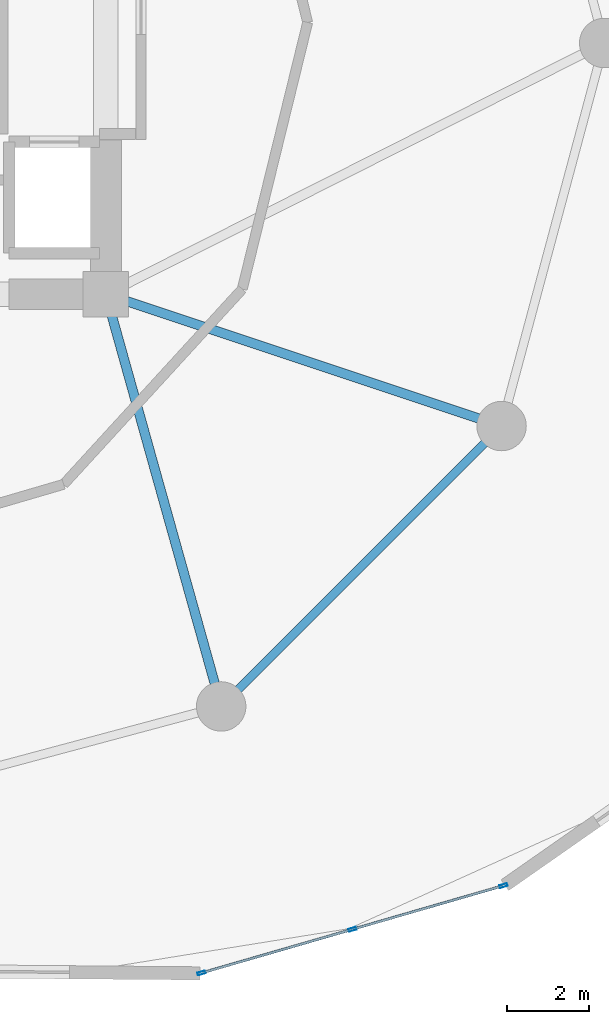
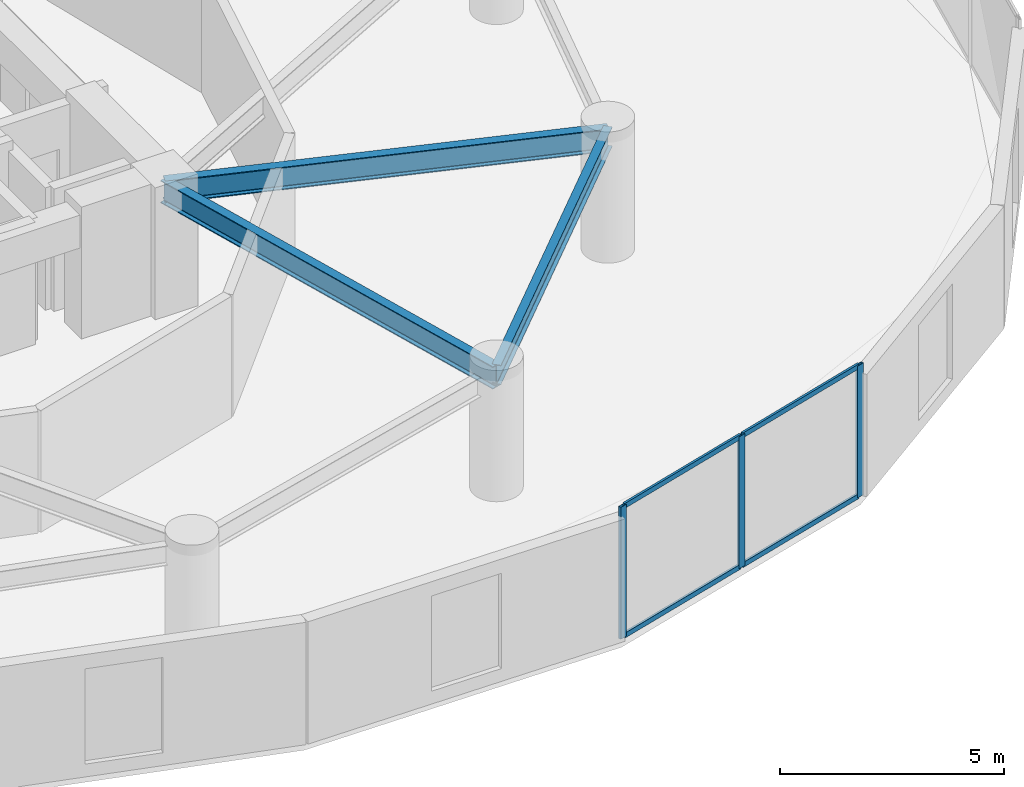
# One storey, part 9 of 24: 7 members, 3 beams, 1 element without a shape of its own.
"""IFC4 building model written with IfcOpenShell, lengths in metres."""

import ifcopenshell
import ifcopenshell.guid

model = None  # the IFC model being written
_history = None  # IfcOwnerHistory: only IFC2X3 demands one
_inside = {}  # id of a spatial element -> (the spatial element, [elements in it])
_under = {}  # id of a project, library or spatial element -> (it, [spatial elements below it])
_declared = {}  # id of a project -> (the project, [libraries it declares])
_typed = {}  # id of a type object -> (the type object, [elements of that type])
_made_of = {}  # id of a material, layer set ... -> (it, [elements and type objects made of it])


def new_model(schema):
    """Start an empty IFC model of exactly this schema.

    Asked for "IFC4X3", IfcOpenShell would pick the latest addendum, in which some entities
    have other attributes; the version numbers below select the first issue.
    IFC2X3 requires an IfcOwnerHistory on every rooted entity: one is made here for all.
    """
    global model, _history
    if schema == "IFC4X3":
        model = ifcopenshell.file(schema_version=(4, 3, 0, 0))
    else:
        model = ifcopenshell.file(schema=schema)
    _inside.clear()
    _under.clear()
    _declared.clear()
    _typed.clear()
    _made_of.clear()
    _history = None
    if model.schema == "IFC2X3":
        org = make("IfcOrganization", Name="unknown")
        user = make(
            "IfcPersonAndOrganization",
            ThePerson=make("IfcPerson", FamilyName="unknown"),
            TheOrganization=org,
        )
        app = make(
            "IfcApplication",
            ApplicationDeveloper=org,
            Version="unknown",
            ApplicationFullName="unknown",
            ApplicationIdentifier="unknown",
        )
        _history = make(
            "IfcOwnerHistory",
            OwningUser=user,
            OwningApplication=app,
            ChangeAction="ADDED",
            CreationDate=0,
        )
    return model


def make(cls, **values):
    """One entity of the class cls with the attributes given. An attribute that is None is left unset."""
    return model.create_entity(
        cls, **{name: value for name, value in values.items() if value is not None}
    )


def rooted(cls, **values):
    """An entity with a GlobalId (a new one), such as an element, a storey or a relation."""
    return make(cls, GlobalId=ifcopenshell.guid.new(), OwnerHistory=_history, **values)


def si_unit(unit_type, name, prefix=None):
    """IfcSIUnit, for example si_unit("LENGTHUNIT", "METRE", prefix="MILLI")."""
    return make("IfcSIUnit", UnitType=unit_type, Prefix=prefix, Name=name)


def assignment(units):
    """IfcUnitAssignment: the units of a project."""
    return None if units is None else make("IfcUnitAssignment", Units=units)


def point(xyz):
    """IfcCartesianPoint."""
    return None if xyz is None else make("IfcCartesianPoint", Coordinates=xyz)


def direction(xyz):
    """IfcDirection."""
    return None if xyz is None else make("IfcDirection", DirectionRatios=xyz)


def frame(location, z_axis=None, x_axis=None):
    """IfcAxis2Placement3D, a coordinate frame: its origin and axes. An axis left out is left unset."""
    return make(
        "IfcAxis2Placement3D",
        Location=point(location),
        Axis=direction(z_axis),
        RefDirection=direction(x_axis),
    )


def frame_2d(location, x_axis=None):
    """IfcAxis2Placement2D, a coordinate frame in the plane: its origin and x axis."""
    return make(
        "IfcAxis2Placement2D", Location=point(location), RefDirection=direction(x_axis)
    )


def origin():
    """The frame at (0, 0, 0) with its axes left unset."""
    return frame((0.0, 0.0, 0.0))


def origin_2d():
    """The frame at (0, 0) in the plane with its x axis left unset."""
    return frame_2d((0.0, 0.0))


def place(relative_to, where):
    """IfcLocalPlacement: puts the frame where relative to a parent placement (None: the world)."""
    return make(
        "IfcLocalPlacement", PlacementRelTo=relative_to, RelativePlacement=where
    )


def context(
    kind, dimensions, precision=None, world=None, true_north=None, identifier=None
):
    """IfcGeometricRepresentationContext, for example the 3D "Model" context."""
    return make(
        "IfcGeometricRepresentationContext",
        ContextIdentifier=identifier,
        ContextType=kind,
        CoordinateSpaceDimension=dimensions,
        Precision=precision,
        WorldCoordinateSystem=world,
        TrueNorth=true_north,
    )


def subcontext(parent, identifier, kind, view, scale=None):
    """IfcGeometricRepresentationSubContext, for example "Body" below "Model"."""
    return make(
        "IfcGeometricRepresentationSubContext",
        ContextIdentifier=identifier,
        ContextType=kind,
        ParentContext=parent,
        TargetScale=scale,
        TargetView=view,
    )


def project(units=None, contexts=None):
    """IfcProject with its units and contexts."""
    return rooted(
        "IfcProject",
        Name="project",
        RepresentationContexts=contexts,
        UnitsInContext=assignment(units),
    )


def spatial(cls, under=None, at=None, **own):
    """A site, building, storey or space (cls), placed at a placement, below another one or the project."""
    s = rooted(cls, ObjectPlacement=at, **own)
    if under is not None:
        _under.setdefault(under.id(), (under, []))[1].append(s)
    return s


def profile(cls, at=None, kind="AREA", **sizes):
    """A parametric profile (cls). Its sizes go by their IFC names, for example OverallWidth=200.0."""
    return make(cls, ProfileType=kind, Position=at, **sizes)


def hollow_rectangle(**sizes):
    """IfcRectangleHollowProfileDef."""
    return profile("IfcRectangleHollowProfileDef", **sizes)


def i_section(**sizes):
    """IfcIShapeProfileDef."""
    return profile("IfcIShapeProfileDef", **sizes)


def extrude(swept, where, along, depth):
    """IfcExtrudedAreaSolid: the profile swept, set in the frame where, extruded along a direction by depth."""
    return make(
        "IfcExtrudedAreaSolid",
        SweptArea=swept,
        Position=where,
        ExtrudedDirection=direction(along),
        Depth=depth,
    )


def shape(context_of_items, identifier, shape_type, items):
    """IfcShapeRepresentation: the items that make up one representation, for example the "Body"."""
    return make(
        "IfcShapeRepresentation",
        ContextOfItems=context_of_items,
        RepresentationIdentifier=identifier,
        RepresentationType=shape_type,
        Items=items,
    )


def source(mapping_origin, context_of_items, identifier, shape_type, items):
    """IfcRepresentationMap: a shape defined once, which mapped items show again and again."""
    return make(
        "IfcRepresentationMap",
        MappingOrigin=mapping_origin,
        MappedRepresentation=shape(context_of_items, identifier, shape_type, items),
    )


def transform(
    local_origin,
    x_axis=None,
    y_axis=None,
    z_axis=None,
    scale=None,
    scale2=None,
    scale3=None,
    uniform=True,
):
    """IfcCartesianTransformationOperator3D, or its non-uniform kind. x_axis, y_axis, z_axis: its Axis1, 2, 3."""
    if uniform:
        return make(
            "IfcCartesianTransformationOperator3D",
            Axis1=direction(x_axis),
            Axis2=direction(y_axis),
            LocalOrigin=point(local_origin),
            Scale=scale,
            Axis3=direction(z_axis),
        )
    return make(
        "IfcCartesianTransformationOperator3DnonUniform",
        Axis1=direction(x_axis),
        Axis2=direction(y_axis),
        LocalOrigin=point(local_origin),
        Scale=scale,
        Axis3=direction(z_axis),
        Scale2=scale2,
        Scale3=scale3,
    )


def mapped(mapping_source, mapping_target):
    """IfcMappedItem: shows the shape of a source again, moved by a transform."""
    return make(
        "IfcMappedItem", MappingSource=mapping_source, MappingTarget=mapping_target
    )


def material(Name=None, Category=None):
    """IfcMaterial."""
    return make("IfcMaterial", Name=Name, Category=Category)


def layer(
    of_material, thickness, ventilated=None, Name=None, Category=None, Priority=None
):
    """IfcMaterialLayer: one layer of a wall or slab, of a material (None: an air gap)."""
    return make(
        "IfcMaterialLayer",
        Material=of_material,
        LayerThickness=thickness,
        IsVentilated=ventilated,
        Name=Name,
        Category=Category,
        Priority=Priority,
    )


def layer_set(layers, Name=None):
    """IfcMaterialLayerSet."""
    return make("IfcMaterialLayerSet", MaterialLayers=layers, LayerSetName=Name)


def material_profile(
    of_material, cross_section, Name=None, Category=None, Priority=None
):
    """IfcMaterialProfile: a cross section and its material."""
    return make(
        "IfcMaterialProfile",
        Name=Name,
        Material=of_material,
        Profile=cross_section,
        Priority=Priority,
        Category=Category,
    )


def profile_set(profiles, Name=None, composite=None):
    """IfcMaterialProfileSet."""
    return make(
        "IfcMaterialProfileSet",
        Name=Name,
        MaterialProfiles=profiles,
        CompositeProfile=composite,
    )


def made_of(thing, what):
    """Note that an element or type object is made of a material, layer set ...; save() writes the relation."""
    if what is not None:
        _made_of.setdefault(what.id(), (what, []))[1].append(thing)
    return thing


def type_object(cls, material=None, **own):
    """A type object (cls), such as IfcWallType, which elements share."""
    return made_of(rooted(cls, **own), material)


def element(
    cls,
    number,
    at=None,
    inside=None,
    cuts=None,
    type_object=None,
    material=None,
    context=None,
    identifier="Body",
    shape_type=None,
    held_by="IfcProductDefinitionShape",
    body=None,
    shapes=None,
    **own,
):
    """One element of the class cls, such as IfcWall. Its Tag is "e" and its number.

    at: its placement. inside: the storey or other place that contains it. cuts: it is an
    opening in that element (IfcRelVoidsElement). A single representation is given by context,
    identifier, shape_type and body (its items); several are given by shapes. held_by: the class
    of the entity that holds the representations. save() writes the other relations.
    """
    e = rooted(cls, Tag="e%d" % number, ObjectPlacement=at, **own)
    if body is not None:
        shapes = [shape(context, identifier, shape_type, body)]
    if shapes is not None:
        e.Representation = make(held_by, Representations=shapes)
    if inside is not None:
        _inside.setdefault(inside.id(), (inside, []))[1].append(e)
    if cuts is not None:
        rooted(
            "IfcRelVoidsElement", RelatingBuildingElement=cuts, RelatedOpeningElement=e
        )
    if type_object is not None:
        _typed.setdefault(type_object.id(), (type_object, []))[1].append(e)
    return made_of(e, material)


def aggregate(whole, parts):
    """IfcRelAggregates: a whole, such as a stair, and the parts it consists of."""
    return rooted("IfcRelAggregates", RelatingObject=whole, RelatedObjects=parts)


def save(model, path):
    """Write the relations noted so far, then the file.

    IfcRelAggregates (storeys below a building ...), IfcRelContainedInSpatialStructure (elements
    in a storey), IfcRelDefinesByType, IfcRelAssociatesMaterial and IfcRelDeclares: one each for
    every whole, place, type object, material and project.
    """
    for whole, parts in _under.values():
        aggregate(whole, parts)
    for where, things in _inside.values():
        rooted(
            "IfcRelContainedInSpatialStructure",
            RelatedElements=things,
            RelatingStructure=where,
        )
    for kind, things in _typed.values():
        rooted("IfcRelDefinesByType", RelatedObjects=things, RelatingType=kind)
    for what, things in _made_of.values():
        rooted("IfcRelAssociatesMaterial", RelatedObjects=things, RelatingMaterial=what)
    for by, libraries in _declared.values():
        rooted("IfcRelDeclares", RelatingContext=by, RelatedDefinitions=libraries)
    model.write(path)


model = new_model("IFC4")

# Units and contexts
model_context = context("Model", 3, precision=1e-05, world=origin(), true_north=direction((0.0, 1.0)))
body_context = subcontext(model_context, "Body", "Model", "MODEL_VIEW")
ifc_project = project(units=[si_unit("LENGTHUNIT", "METRE"), si_unit("AREAUNIT", "SQUARE_METRE"), si_unit("VOLUMEUNIT", "CUBIC_METRE"), si_unit("PLANEANGLEUNIT", "RADIAN"), si_unit("MASSUNIT", "GRAM", prefix="KILO")], contexts=[model_context])

# Site, building, storey
site_placement = place(None, origin())
site = spatial("IfcSite", under=ifc_project, at=site_placement, CompositionType="ELEMENT")
building_placement = place(site_placement, origin())
building = spatial("IfcBuilding", under=site, at=building_placement, Name="Solvirekh Grand Hotel", CompositionType="ELEMENT")
storey_placement = place(building_placement, frame((0.0, 0.0, 82.39990234375)))
storey = spatial("IfcBuildingStorey", under=building, at=storey_placement, Name="L20", CompositionType="ELEMENT", Elevation=82.39990234375)

# Beams
ifc_material_1 = material(Name="Steel S355", Category="steel")
ifc_material_profile_1 = material_profile(ifc_material_1, i_section(OverallWidth=0.22998046875, OverallDepth=0.615966796875, WebThickness=0.013916015625, FlangeThickness=0.02392578125, FilletRadius=0.014892578125, at=origin_2d()), Name="W610X174")
ifc_profile_set_1 = profile_set([ifc_material_profile_1], Name="Steel S355")
beam_type_1 = type_object("IfcBeamType", Name="Beam_Primary_W610H", PredefinedType="BEAM", material=ifc_profile_set_1)
beam_1_placement = place(storey_placement, frame((6.5, -6.10009765625, 3.031982421875), z_axis=(0.269439084681, -0.963017434757, 0.0), x_axis=(0.963017434757, 0.269439084681, 0.0)))
element("IfcBeam", 1, at=beam_1_placement, inside=storey, type_object=beam_type_1, Name="L20 radial floor beam R11", PredefinedType="BEAM", context=body_context, shape_type="SweptSolid", body=[
    extrude(i_section(OverallWidth=0.22998046875, OverallDepth=0.615966796875, WebThickness=0.013916015625, FlangeThickness=0.02392578125, FilletRadius=0.014892578125, at=origin_2d()), origin(), (0.0, 0.0, 1.0), 10.39208984375),
])
beam_2_placement = place(storey_placement, frame((6.5, -6.10009765625, 3.031982421875), z_axis=(0.948762825819, -0.315989082635, 0.0), x_axis=(0.315989082635, 0.948762825819, 0.0)))
element("IfcBeam", 2, at=beam_2_placement, inside=storey, type_object=beam_type_1, Name="L20 radial floor beam R12", PredefinedType="BEAM", context=body_context, shape_type="SweptSolid", body=[
    extrude(i_section(OverallWidth=0.22998046875, OverallDepth=0.615966796875, WebThickness=0.013916015625, FlangeThickness=0.02392578125, FilletRadius=0.014892578125, at=origin_2d()), origin(), (0.0, 0.0, 1.0), 10.126708984375),
])
ifc_material_profile_2 = material_profile(ifc_material_1, i_section(OverallWidth=0.208984375, OverallDepth=0.532958984375, WebThickness=0.010009765625, FlangeThickness=0.014892578125, FilletRadius=0.013916015625, at=origin_2d()), Name="W530X92")
ifc_profile_set_2 = profile_set([ifc_material_profile_2], Name="Steel S355")
beam_type_2 = type_object("IfcBeamType", Name="Spandrel_Ring_W530", PredefinedType="SPANDREL", material=ifc_profile_set_2)
beam_3_placement = place(storey_placement, frame((9.300048828125, -16.10791015625, 3.07421875), z_axis=(0.707106781187, 0.707106781187, 0.0), x_axis=(-0.707106781187, 0.707106781187, 0.0)))
element("IfcBeam", 3, at=beam_3_placement, inside=storey, type_object=beam_type_2, Name="L20 perimeter spandrel beam 11", PredefinedType="SPANDREL", context=body_context, shape_type="SweptSolid", body=[
    extrude(i_section(OverallWidth=0.208984375, OverallDepth=0.532958984375, WebThickness=0.010009765625, FlangeThickness=0.014892578125, FilletRadius=0.013916015625, at=origin_2d()), origin(), (0.0, 0.0, 1.0), 9.627685546875),
])

# Curtain wall, members
ifc_material_2 = material(Name="Anodized Bronze Aluminium 6063-T6", Category="aluminium")
ifc_layer = layer(ifc_material_2, 0.18994140625)
ifc_layer_set = layer_set([ifc_layer], Name="Anodized Bronze Aluminium 6063-T6")
curtain_wall_type = type_object("IfcCurtainWallType", Name="CW_Sys2_LowZoneFlushBronzeCW", PredefinedType="NOTDEFINED", material=ifc_layer_set)
curtain_wall_placement = place(storey_placement, origin())
curtain_wall = element("IfcCurtainWall", 4, at=curtain_wall_placement, inside=storey, type_object=curtain_wall_type, Name="L20 unitised bronze-glass curtain wall CW-L20-C18", PredefinedType="NOTDEFINED")
ifc_material_profile_3 = material_profile(ifc_material_2, hollow_rectangle(XDim=0.070068359375, YDim=0.18994140625, WallThickness=0.0048828125, at=origin_2d()), Name="ALU RHS 190X70X5")
ifc_profile_set_3 = profile_set([ifc_material_profile_3], Name="Anodized Bronze Aluminium 6063-T6")
member_type_1 = type_object("IfcMemberType", Name="CWMullion_Sys2", PredefinedType="MULLION", material=ifc_profile_set_3)
shared_shape_1 = source(origin(), body_context, "Body", "SweptSolid", [
    extrude(hollow_rectangle(XDim=0.070068359375, YDim=0.18994140625, WallThickness=0.0048828125, at=origin_2d()), origin(), (0.0, 0.0, 1.0), 3.60009765625),
])
member_1_placement = place(storey_placement, frame((8.821533203125, -22.580322265625, 0.0), z_axis=(0.0, 0.0, 1.0), x_axis=(-0.277856394995, 0.960622622969, 0.0)))
member_1 = element("IfcMember", 5, at=member_1_placement, type_object=member_type_1, Name="U02 mullion 1", PredefinedType="MULLION", context=body_context, shape_type="MappedRepresentation", body=[
    mapped(shared_shape_1, transform((0.0, 0.0, 0.0), x_axis=(1.0, 0.0, 0.0), y_axis=(0.0, 1.0, 0.0), z_axis=(0.0, 0.0, 1.0), scale=1.0)),
])
member_2_placement = place(storey_placement, frame((12.489013671875, -21.51953125, 0.0), z_axis=(0.0, 0.0, 1.0), x_axis=(-0.277856394995, 0.960622622969, 0.0)))
member_2 = element("IfcMember", 6, at=member_2_placement, type_object=member_type_1, Name="U02 mullion 2", PredefinedType="MULLION", context=body_context, shape_type="MappedRepresentation", body=[
    mapped(shared_shape_1, transform((0.0, 0.0, 0.0), x_axis=(1.0, 0.0, 0.0), y_axis=(0.0, 1.0, 0.0), z_axis=(0.0, 0.0, 1.0), scale=1.0)),
])
member_3_placement = place(storey_placement, frame((16.156494140625, -20.458740234375, 0.0), z_axis=(0.0, 0.0, 1.0), x_axis=(-0.277856394995, 0.960622622969, 0.0)))
member_3 = element("IfcMember", 7, at=member_3_placement, type_object=member_type_1, Name="U02 mullion 3", PredefinedType="MULLION", context=body_context, shape_type="MappedRepresentation", body=[
    mapped(shared_shape_1, transform((0.0, 0.0, 0.0), x_axis=(1.0, 0.0, 0.0), y_axis=(0.0, 1.0, 0.0), z_axis=(0.0, 0.0, 1.0), scale=1.0)),
])
ifc_material_profile_4 = material_profile(ifc_material_2, hollow_rectangle(XDim=0.06005859375, YDim=0.135009765625, WallThickness=0.00390625, at=origin_2d()), Name="ALU RHS 135X60X4")
ifc_profile_set_4 = profile_set([ifc_material_profile_4], Name="Anodized Bronze Aluminium 6063-T6")
member_type_2 = type_object("IfcMemberType", Name="CWTransom_Sys2", PredefinedType="USERDEFINED", material=ifc_profile_set_4)
shared_shape_2 = source(origin(), body_context, "Body", "SweptSolid", [
    extrude(hollow_rectangle(XDim=0.06005859375, YDim=0.135009765625, WallThickness=0.00390625, at=origin_2d()), origin(), (0.0, 0.0, 1.0), 3.74755859375),
])
member_4_placement = place(storey_placement, frame((8.855224609375, -22.570556640625, 0.030029296875), z_axis=(0.96062651301, 0.277842945747, 0.0), x_axis=(-0.277842945747, 0.96062651301, 0.0)))
member_4 = element("IfcMember", 8, at=member_4_placement, type_object=member_type_2, Name="U02 transom 1.1", ObjectType="TRANSOM", PredefinedType="USERDEFINED", context=body_context, shape_type="MappedRepresentation", body=[
    mapped(shared_shape_2, transform((0.0, 0.0, 0.0), x_axis=(1.0, 0.0, 0.0), y_axis=(0.0, 1.0, 0.0), z_axis=(0.0, 0.0, 1.0), scale=1.0)),
])
member_5_placement = place(storey_placement, frame((8.855224609375, -22.570556640625, 3.570068359375), z_axis=(0.96062651301, 0.277842945747, 0.0), x_axis=(-0.277842945747, 0.96062651301, 0.0)))
member_5 = element("IfcMember", 9, at=member_5_placement, type_object=member_type_2, Name="U02 transom 1.2", ObjectType="TRANSOM", PredefinedType="USERDEFINED", context=body_context, shape_type="MappedRepresentation", body=[
    mapped(shared_shape_2, transform((0.0, 0.0, 0.0), x_axis=(1.0, 0.0, 0.0), y_axis=(0.0, 1.0, 0.0), z_axis=(0.0, 0.0, 1.0), scale=1.0)),
])
member_6_placement = place(storey_placement, frame((12.522705078125, -21.509765625, 0.030029296875), z_axis=(0.96062651301, 0.277842945747, 0.0), x_axis=(-0.277842945747, 0.96062651301, 0.0)))
member_6 = element("IfcMember", 10, at=member_6_placement, type_object=member_type_2, Name="U02 transom 2.1", ObjectType="TRANSOM", PredefinedType="USERDEFINED", context=body_context, shape_type="MappedRepresentation", body=[
    mapped(shared_shape_2, transform((0.0, 0.0, 0.0), x_axis=(1.0, 0.0, 0.0), y_axis=(0.0, 1.0, 0.0), z_axis=(0.0, 0.0, 1.0), scale=1.0)),
])
member_7_placement = place(storey_placement, frame((12.522705078125, -21.509765625, 3.570068359375), z_axis=(0.96062651301, 0.277842945747, 0.0), x_axis=(-0.277842945747, 0.96062651301, 0.0)))
member_7 = element("IfcMember", 11, at=member_7_placement, type_object=member_type_2, Name="U02 transom 2.2", ObjectType="TRANSOM", PredefinedType="USERDEFINED", context=body_context, shape_type="MappedRepresentation", body=[
    mapped(shared_shape_2, transform((0.0, 0.0, 0.0), x_axis=(1.0, 0.0, 0.0), y_axis=(0.0, 1.0, 0.0), z_axis=(0.0, 0.0, 1.0), scale=1.0)),
])
aggregate(curtain_wall, [member_1, member_2, member_3, member_4, member_5, member_6, member_7])

save(model, "model.ifc")
